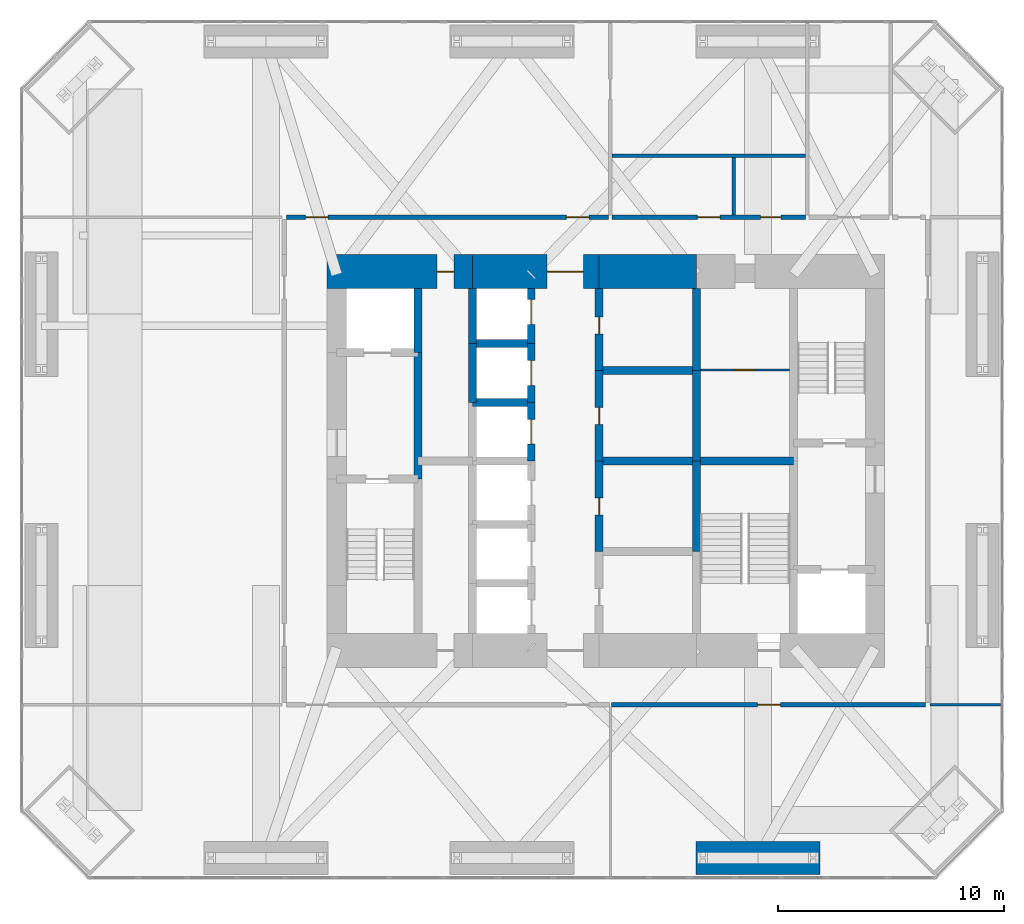
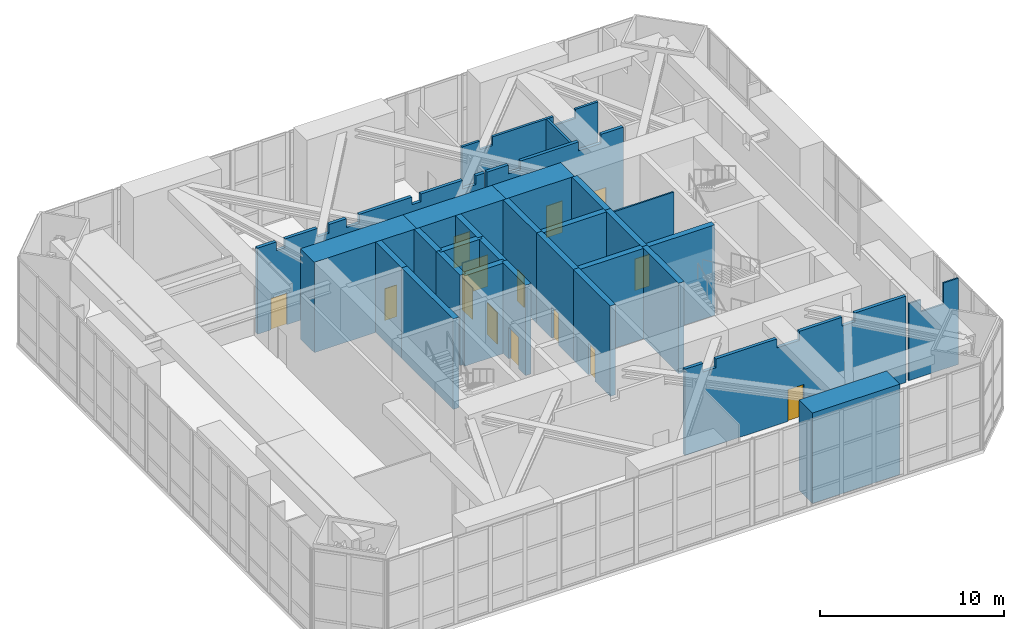
# One storey, part 15 of 18: 29 walls, 14 doors, 14 openings.
"""IFC4 building model written with IfcOpenShell, lengths in metres."""

from ifc_helpers import new_model, si_unit, direction, frame, frame_2d, origin, place, context, subcontext, project, spatial, polyline, rectangle, outline, extrude, material, layer, layer_set, constituent, constituent_set, type_object, element, fill, save


model = new_model("IFC4")

# Units and contexts
model_context = context("Model", 3, precision=1e-05, world=origin(), true_north=direction((0.0, 1.0)))
body_context = subcontext(model_context, "Body", "Model", "MODEL_VIEW")
ifc_project = project(units=[si_unit("LENGTHUNIT", "METRE"), si_unit("AREAUNIT", "SQUARE_METRE"), si_unit("VOLUMEUNIT", "CUBIC_METRE"), si_unit("PLANEANGLEUNIT", "RADIAN"), si_unit("MASSUNIT", "GRAM", prefix="KILO")], contexts=[model_context])

# Site, building, storey
site_placement = place(None, origin())
site = spatial("IfcSite", under=ifc_project, at=site_placement, CompositionType="ELEMENT")
building_placement = place(site_placement, origin())
building = spatial("IfcBuilding", under=site, at=building_placement, Name="Jalousie Tower", CompositionType="ELEMENT")
storey_placement = place(building_placement, frame((0.0, 0.0, 138.35009765625)))
storey = spatial("IfcBuildingStorey", under=building, at=storey_placement, Name="L38", CompositionType="ELEMENT", Elevation=138.35009765625)

# Walls
ifc_material_1 = material(Name="Concrete block ASTM C90", Category="concrete")
ifc_constituent_1 = constituent(ifc_material_1, Name="Body")
ifc_material_2 = material(Name="Render")
ifc_constituent_2 = constituent(ifc_material_2, Name="Finish")
ifc_constituent_set_1 = constituent_set(constituents=[ifc_constituent_1, ifc_constituent_2])
wall_type_1 = type_object("IfcWallType", Name="BATHROOM WALL 150", PredefinedType="PLUMBINGWALL", material=ifc_constituent_set_1)
wall_1_placement = place(storey_placement, frame((32.175048828125, 32.0, 0.0), z_axis=(0.0, 0.0, 1.0), x_axis=(1.0, 0.0, 0.0)))
element("IfcWall", 1, at=wall_1_placement, inside=storey, type_object=wall_type_1, Name="Bathroom Wall 150 L38", PredefinedType="PLUMBINGWALL", context=body_context, shape_type="SweptSolid", body=[
    extrude(outline(polyline([(0.0, 0.0), (8.550048828125, 0.0), (8.550048828125, 5.719970703125), (7.135009765625, 5.719970703125), (7.135009765625, 5.119873046875), (5.764892578125, 5.119873046875), (5.764892578125, 5.719970703125), (1.9375, 5.719970703125), (1.9375, 5.140869140625), (1.132080078125, 5.140869140625), (1.132080078125, 5.719970703125), (0.0, 5.719970703125), (0.0, 0.0)])), frame((0.0, 0.074951171875, 0.0), z_axis=(0.0, -1.0, 0.0), x_axis=(1.0, 0.0, 0.0)), (0.0, 0.0, 1.0), 0.14990234375),
])
wall_2_placement = place(storey_placement, frame((37.550048828125, 29.375, 0.0), z_axis=(0.0, 0.0, 1.0), x_axis=(0.0, 1.0, 0.0)))
element("IfcWall", 2, at=wall_2_placement, inside=storey, type_object=wall_type_1, Name="Bathroom Wall 150 L38", PredefinedType="PLUMBINGWALL", context=body_context, shape_type="SweptSolid", body=[
    extrude(rectangle(XDim=2.550048828125, YDim=0.14990234375, at=frame_2d((1.27490234375, 0.0))), origin(), (0.0, 0.0, 1.0), 5.719970703125),
])
ifc_material_3 = material(Name="Concrete f'c 120 MPa", Category="concrete")
ifc_layer_1 = layer(ifc_material_3, 1.5)
ifc_layer_set_1 = layer_set([ifc_layer_1], Name="Concrete f'c 120 MPa")
wall_type_2 = type_object("IfcWallType", Name="CORE WALL 1500", PredefinedType="SHEAR", material=ifc_layer_set_1)
wall_3_placement = place(storey_placement, frame((35.89990234375, 26.875, 0.0), z_axis=(0.0, 0.0, 1.0), x_axis=(-1.0, 0.0, 0.0)))
element("IfcWall", 3, at=wall_3_placement, inside=storey, type_object=wall_type_2, Name="Core wall NB L38", PredefinedType="SHEAR", context=body_context, shape_type="SweptSolid", body=[
    extrude(rectangle(XDim=4.2998046875, YDim=1.5, at=frame_2d((2.14990234375, 0.0))), origin(), (0.0, 0.0, 1.0), 6.0),
])

# Wall, opening, door
wall_4_placement = place(storey_placement, frame((31.60009765625, 26.875, 0.0), z_axis=(0.0, 0.0, 1.0), x_axis=(-1.0, 0.0, 0.0)))
wall_4 = element("IfcWall", 4, at=wall_4_placement, inside=storey, type_object=wall_type_2, Name="Core wall NC L38", PredefinedType="SHEAR", context=body_context, shape_type="SweptSolid", body=[
    extrude(rectangle(XDim=5.60009765625, YDim=1.5, at=frame_2d((2.800048828125, 0.0))), origin(), (0.0, 0.0, 1.0), 6.0),
])
opening_1_placement = place(wall_4_placement, frame((0.699951171875, 0.0, 0.0)))
opening_1 = element("IfcOpeningElement", 5, at=opening_1_placement, cuts=wall_4, Name="Opening D15", PredefinedType="OPENING", context=body_context, shape_type="SweptSolid", body=[
    extrude(rectangle(XDim=1.60009765625, YDim=2.10009765625, at=frame_2d((0.800048828125, 1.050048828125))), frame((0.0, 0.760009765625, 0.0), z_axis=(0.0, -1.0, 0.0), x_axis=(1.0, 0.0, 0.0)), (0.0, 0.0, 1.0), 1.52001953125),
])
ifc_material_4 = material(Name="Steel fire door", Category="steel")
door_type_1 = type_object("IfcDoorType", Name="LIFT LOBBY DOOR 1600", OperationType="DOUBLE_DOOR_SINGLE_SWING", PredefinedType="DOOR", material=ifc_material_4)
door_1_placement = place(opening_1_placement, origin())
door_1 = element("IfcDoor", 6, at=door_1_placement, inside=storey, type_object=door_type_1, Name="Lift lobby north door", OperationType="DOUBLE_DOOR_SINGLE_SWING", OverallHeight=2.10009765625, OverallWidth=1.60009765625, PredefinedType="DOOR", context=body_context, shape_type="SweptSolid", body=[
    extrude(rectangle(XDim=1.60009765625, YDim=2.10009765625, at=frame_2d((0.800048828125, 1.050048828125))), frame((0.0, 0.02490234375, 0.0), z_axis=(0.0, -1.0, 0.0), x_axis=(1.0, 0.0, 0.0)), (0.0, 0.0, 1.0), 0.050048828125),
])
fill(opening_1, door_1)

wall_5_placement = place(storey_placement, frame((26.0, 26.875, 0.0), z_axis=(0.0, 0.0, 1.0), x_axis=(-1.0, 0.0, 0.0)))
wall_5 = element("IfcWall", 7, at=wall_5_placement, inside=storey, type_object=wall_type_2, Name="Core wall ND L38", PredefinedType="SHEAR", context=body_context, shape_type="SweptSolid", body=[
    extrude(rectangle(XDim=6.425048828125, YDim=1.5, at=frame_2d((3.21240234375, 0.0))), origin(), (0.0, 0.0, 1.0), 6.0),
])
opening_2_placement = place(wall_5_placement, frame((0.824951171875, 0.0, 0.0)))
opening_2 = element("IfcOpeningElement", 8, at=opening_2_placement, cuts=wall_5, Name="Opening D16", PredefinedType="OPENING", context=body_context, shape_type="SweptSolid", body=[
    extrude(rectangle(XDim=0.75, YDim=2.10009765625, at=frame_2d((0.375, 1.050048828125))), frame((0.0, 0.760009765625, 0.0), z_axis=(0.0, -1.0, 0.0), x_axis=(1.0, 0.0, 0.0)), (0.0, 0.0, 1.0), 1.52001953125),
])
ifc_material_5 = material(Name="Steel fire door", Category="steel")
door_type_2 = type_object("IfcDoorType", Name="RISER DOOR 750", OperationType="SINGLE_SWING_LEFT", PredefinedType="DOOR", material=ifc_material_5)
door_2_placement = place(opening_2_placement, origin())
door_2 = element("IfcDoor", 9, at=door_2_placement, inside=storey, type_object=door_type_2, Name="North riser door", OperationType="SINGLE_SWING_RIGHT", OverallHeight=2.10009765625, OverallWidth=0.75, PredefinedType="DOOR", context=body_context, shape_type="SweptSolid", body=[
    extrude(rectangle(XDim=0.75, YDim=2.10009765625, at=frame_2d((0.375, 1.050048828125))), frame((0.0, 0.02490234375, 0.0), z_axis=(0.0, -1.0, 0.0), x_axis=(1.0, 0.0, 0.0)), (0.0, 0.0, 1.0), 0.050048828125),
])
fill(opening_2, door_2)

# Walls
ifc_material_6 = material(Name="Concrete f'c 120 MPa", Category="concrete")
ifc_layer_2 = layer(ifc_material_6, 0.35009765625)
ifc_layer_set_2 = layer_set([ifc_layer_2], Name="Concrete f'c 120 MPa")
wall_type_3 = type_object("IfcWallType", Name="CORE WALL 350", PredefinedType="SHEAR", material=ifc_layer_set_2)
wall_6_placement = place(storey_placement, frame((23.60009765625, 17.699951171875, 0.0), z_axis=(0.0, 0.0, 1.0), x_axis=(0.0, 1.0, 0.0)))
element("IfcWall", 10, at=wall_6_placement, inside=storey, type_object=wall_type_3, Name="Core wall X23.6B L38", PredefinedType="SHEAR", context=body_context, shape_type="SweptSolid", body=[
    extrude(rectangle(XDim=5.60009765625, YDim=0.35009765625, at=frame_2d((2.800048828125, 0.0))), origin(), (0.0, 0.0, 1.0), 6.0),
])
wall_7_placement = place(storey_placement, frame((23.60009765625, 23.300048828125, 0.0), z_axis=(0.0, 0.0, 1.0), x_axis=(0.0, 1.0, 0.0)))
element("IfcWall", 11, at=wall_7_placement, inside=storey, type_object=wall_type_3, Name="Core wall X23.6C L38", PredefinedType="SHEAR", context=body_context, shape_type="SweptSolid", body=[
    extrude(rectangle(XDim=2.824951171875, YDim=0.35009765625, at=frame_2d((1.41259765625, 0.0))), origin(), (0.0, 0.0, 1.0), 6.0),
])
wall_8_placement = place(storey_placement, frame((26.0, 21.10009765625, 0.0), z_axis=(0.0, 0.0, 1.0), x_axis=(0.0, 1.0, 0.0)))
element("IfcWall", 12, at=wall_8_placement, inside=storey, type_object=wall_type_3, Name="Core wall X26E L38", PredefinedType="SHEAR", context=body_context, shape_type="SweptSolid", body=[
    extrude(rectangle(XDim=2.599853515625, YDim=0.35009765625, at=frame_2d((1.2998046875, 0.0))), origin(), (0.0, 0.0, 1.0), 6.0),
])
wall_9_placement = place(storey_placement, frame((26.0, 23.699951171875, 0.0), z_axis=(0.0, 0.0, 1.0), x_axis=(0.0, 1.0, 0.0)))
element("IfcWall", 13, at=wall_9_placement, inside=storey, type_object=wall_type_3, Name="Core wall X26F L38", PredefinedType="SHEAR", context=body_context, shape_type="SweptSolid", body=[
    extrude(rectangle(XDim=2.425048828125, YDim=0.35009765625, at=frame_2d((1.21240234375, 0.0))), origin(), (0.0, 0.0, 1.0), 6.0),
])

# Wall, opening, door
wall_10_placement = place(storey_placement, frame((28.60009765625, 18.5, 0.0), z_axis=(0.0, 0.0, 1.0), x_axis=(0.0, 1.0, 0.0)))
wall_10 = element("IfcWall", 14, at=wall_10_placement, inside=storey, type_object=wall_type_3, Name="Core wall X28.6D L38", PredefinedType="SHEAR", context=body_context, shape_type="SweptSolid", body=[
    extrude(rectangle(XDim=2.60009765625, YDim=0.35009765625, at=frame_2d((1.300048828125, 0.0))), origin(), (0.0, 0.0, 1.0), 6.0),
])
opening_3_placement = place(wall_10_placement, frame((0.75, 0.0, 0.0)))
opening_3 = element("IfcOpeningElement", 15, at=opening_3_placement, cuts=wall_10, Name="Opening LD1", PredefinedType="OPENING", context=body_context, shape_type="SweptSolid", body=[
    extrude(rectangle(XDim=1.10009765625, YDim=2.10009765625, at=frame_2d((0.550048828125, 1.050048828125))), frame((0.0, 0.18505859375, 0.0), z_axis=(0.0, -1.0, 0.0), x_axis=(1.0, 0.0, 0.0)), (0.0, 0.0, 1.0), 0.3701171875),
])
ifc_material_7 = material(Name="Steel lift landing door", Category="steel")
door_type_3 = type_object("IfcDoorType", Name="LIFT LANDING DOOR 1100", OperationType="SLIDING_TO_LEFT", PredefinedType="DOOR", material=ifc_material_7)
door_3_placement = place(opening_3_placement, origin())
door_3 = element("IfcDoor", 16, at=door_3_placement, inside=storey, type_object=door_type_3, Name="Lift P4 landing door", OperationType="SLIDING_TO_LEFT", OverallHeight=2.10009765625, OverallWidth=1.10009765625, PredefinedType="DOOR", context=body_context, shape_type="SweptSolid", body=[
    extrude(rectangle(XDim=1.10009765625, YDim=2.10009765625, at=frame_2d((0.550048828125, 1.050048828125))), frame((0.0, 0.02490234375, 0.0), z_axis=(0.0, -1.0, 0.0), x_axis=(1.0, 0.0, 0.0)), (0.0, 0.0, 1.0), 0.050048828125),
])
fill(opening_3, door_3)

wall_11_placement = place(storey_placement, frame((28.60009765625, 21.10009765625, 0.0), z_axis=(0.0, 0.0, 1.0), x_axis=(0.0, 1.0, 0.0)))
wall_11 = element("IfcWall", 17, at=wall_11_placement, inside=storey, type_object=wall_type_3, Name="Core wall X28.6E L38", PredefinedType="SHEAR", context=body_context, shape_type="SweptSolid", body=[
    extrude(rectangle(XDim=2.599853515625, YDim=0.35009765625, at=frame_2d((1.2998046875, 0.0))), origin(), (0.0, 0.0, 1.0), 6.0),
])
opening_4_placement = place(wall_11_placement, frame((0.75, 0.0, 0.0)))
opening_4 = element("IfcOpeningElement", 18, at=opening_4_placement, cuts=wall_11, Name="Opening LD1", PredefinedType="OPENING", context=body_context, shape_type="SweptSolid", body=[
    extrude(rectangle(XDim=1.10009765625, YDim=2.10009765625, at=frame_2d((0.550048828125, 1.050048828125))), frame((0.0, 0.18505859375, 0.0), z_axis=(0.0, -1.0, 0.0), x_axis=(1.0, 0.0, 0.0)), (0.0, 0.0, 1.0), 0.3701171875),
])
door_4_placement = place(opening_4_placement, origin())
door_4 = element("IfcDoor", 19, at=door_4_placement, inside=storey, type_object=door_type_3, Name="Lift P5 landing door", OperationType="SLIDING_TO_LEFT", OverallHeight=2.10009765625, OverallWidth=1.10009765625, PredefinedType="DOOR", context=body_context, shape_type="SweptSolid", body=[
    extrude(rectangle(XDim=1.10009765625, YDim=2.10009765625, at=frame_2d((0.550048828125, 1.050048828125))), frame((0.0, 0.02490234375, 0.0), z_axis=(0.0, -1.0, 0.0), x_axis=(1.0, 0.0, 0.0)), (0.0, 0.0, 1.0), 0.050048828125),
])
fill(opening_4, door_4)

wall_12_placement = place(storey_placement, frame((28.60009765625, 23.699951171875, 0.0), z_axis=(0.0, 0.0, 1.0), x_axis=(0.0, 1.0, 0.0)))
wall_12 = element("IfcWall", 20, at=wall_12_placement, inside=storey, type_object=wall_type_3, Name="Core wall X28.6F L38", PredefinedType="SHEAR", context=body_context, shape_type="SweptSolid", body=[
    extrude(rectangle(XDim=2.425048828125, YDim=0.35009765625, at=frame_2d((1.21240234375, 0.0))), origin(), (0.0, 0.0, 1.0), 6.0),
])
opening_5_placement = place(wall_12_placement, frame((0.85009765625, 0.0, 0.0)))
opening_5 = element("IfcOpeningElement", 21, at=opening_5_placement, cuts=wall_12, Name="Opening LD1", PredefinedType="OPENING", context=body_context, shape_type="SweptSolid", body=[
    extrude(rectangle(XDim=1.10009765625, YDim=2.10009765625, at=frame_2d((0.550048828125, 1.050048828125))), frame((0.0, 0.18505859375, 0.0), z_axis=(0.0, -1.0, 0.0), x_axis=(1.0, 0.0, 0.0)), (0.0, 0.0, 1.0), 0.3701171875),
])
door_5_placement = place(opening_5_placement, origin())
door_5 = element("IfcDoor", 22, at=door_5_placement, inside=storey, type_object=door_type_3, Name="Lift P6 landing door", OperationType="SLIDING_TO_LEFT", OverallHeight=2.10009765625, OverallWidth=1.10009765625, PredefinedType="DOOR", context=body_context, shape_type="SweptSolid", body=[
    extrude(rectangle(XDim=1.10009765625, YDim=2.10009765625, at=frame_2d((0.550048828125, 1.050048828125))), frame((0.0, 0.02490234375, 0.0), z_axis=(0.0, -1.0, 0.0), x_axis=(1.0, 0.0, 0.0)), (0.0, 0.0, 1.0), 0.050048828125),
])
fill(opening_5, door_5)

wall_13_placement = place(storey_placement, frame((31.60009765625, 14.5, 0.0), z_axis=(0.0, 0.0, 1.0), x_axis=(0.0, 1.0, 0.0)))
wall_13 = element("IfcWall", 23, at=wall_13_placement, inside=storey, type_object=wall_type_3, Name="Core wall X31.6B L38", PredefinedType="SHEAR", context=body_context, shape_type="SweptSolid", body=[
    extrude(rectangle(XDim=4.0, YDim=0.35009765625, at=frame_2d((2.0, 0.0))), origin(), (0.0, 0.0, 1.0), 6.0),
])
opening_6_placement = place(wall_13_placement, frame((1.625, 0.0, 0.0)))
opening_6 = element("IfcOpeningElement", 24, at=opening_6_placement, cuts=wall_13, Name="Opening D16", PredefinedType="OPENING", context=body_context, shape_type="SweptSolid", body=[
    extrude(rectangle(XDim=0.75, YDim=2.10009765625, at=frame_2d((0.375, 1.050048828125))), frame((0.0, 0.18505859375, 0.0), z_axis=(0.0, -1.0, 0.0), x_axis=(1.0, 0.0, 0.0)), (0.0, 0.0, 1.0), 0.3701171875),
])
door_6_placement = place(opening_6_placement, frame((0.75, 0.0, 0.0), z_axis=(0.0, 0.0, 1.0), x_axis=(-1.0, 0.0, 0.0)))
door_6 = element("IfcDoor", 25, at=door_6_placement, inside=storey, type_object=door_type_2, Name="Electrical Room door", OperationType="SINGLE_SWING_RIGHT", OverallHeight=2.10009765625, OverallWidth=0.75, PredefinedType="DOOR", context=body_context, shape_type="SweptSolid", body=[
    extrude(rectangle(XDim=0.75, YDim=2.10009765625, at=frame_2d((0.375, 1.050048828125))), frame((0.0, 0.02490234375, 0.0), z_axis=(0.0, -1.0, 0.0), x_axis=(1.0, 0.0, 0.0)), (0.0, 0.0, 1.0), 0.050048828125),
])
fill(opening_6, door_6)

wall_14_placement = place(storey_placement, frame((31.60009765625, 18.5, 0.0), z_axis=(0.0, 0.0, 1.0), x_axis=(0.0, 1.0, 0.0)))
wall_14 = element("IfcWall", 26, at=wall_14_placement, inside=storey, type_object=wall_type_3, Name="Core wall X31.6C L38", PredefinedType="SHEAR", context=body_context, shape_type="SweptSolid", body=[
    extrude(rectangle(XDim=4.0, YDim=0.35009765625, at=frame_2d((2.0, 0.0))), origin(), (0.0, 0.0, 1.0), 6.0),
])
opening_7_placement = place(wall_14_placement, frame((1.625, 0.0, 0.0)))
opening_7 = element("IfcOpeningElement", 27, at=opening_7_placement, cuts=wall_14, Name="Opening D16", PredefinedType="OPENING", context=body_context, shape_type="SweptSolid", body=[
    extrude(rectangle(XDim=0.75, YDim=2.10009765625, at=frame_2d((0.375, 1.050048828125))), frame((0.0, 0.18505859375, 0.0), z_axis=(0.0, -1.0, 0.0), x_axis=(1.0, 0.0, 0.0)), (0.0, 0.0, 1.0), 0.3701171875),
])
door_7_placement = place(opening_7_placement, frame((0.75, 0.0, 0.0), z_axis=(0.0, 0.0, 1.0), x_axis=(-1.0, 0.0, 0.0)))
door_7 = element("IfcDoor", 28, at=door_7_placement, inside=storey, type_object=door_type_2, Name="Telecom Room door", OperationType="SINGLE_SWING_RIGHT", OverallHeight=2.10009765625, OverallWidth=0.75, PredefinedType="DOOR", context=body_context, shape_type="SweptSolid", body=[
    extrude(rectangle(XDim=0.75, YDim=2.10009765625, at=frame_2d((0.375, 1.050048828125))), frame((0.0, 0.02490234375, 0.0), z_axis=(0.0, -1.0, 0.0), x_axis=(1.0, 0.0, 0.0)), (0.0, 0.0, 1.0), 0.050048828125),
])
fill(opening_7, door_7)

wall_15_placement = place(storey_placement, frame((31.60009765625, 22.5, 0.0), z_axis=(0.0, 0.0, 1.0), x_axis=(0.0, 1.0, 0.0)))
wall_15 = element("IfcWall", 29, at=wall_15_placement, inside=storey, type_object=wall_type_3, Name="Core wall X31.6D L38", PredefinedType="SHEAR", context=body_context, shape_type="SweptSolid", body=[
    extrude(rectangle(XDim=3.625, YDim=0.35009765625, at=frame_2d((1.8125, 0.0))), origin(), (0.0, 0.0, 1.0), 6.0),
])
opening_8_placement = place(wall_15_placement, frame((1.625, 0.0, 0.0)))
opening_8 = element("IfcOpeningElement", 30, at=opening_8_placement, cuts=wall_15, Name="Opening D16", PredefinedType="OPENING", context=body_context, shape_type="SweptSolid", body=[
    extrude(rectangle(XDim=0.75, YDim=2.10009765625, at=frame_2d((0.375, 1.050048828125))), frame((0.0, 0.18505859375, 0.0), z_axis=(0.0, -1.0, 0.0), x_axis=(1.0, 0.0, 0.0)), (0.0, 0.0, 1.0), 0.3701171875),
])
door_8_placement = place(opening_8_placement, frame((0.75, 0.0, 0.0), z_axis=(0.0, 0.0, 1.0), x_axis=(-1.0, 0.0, 0.0)))
door_8 = element("IfcDoor", 31, at=door_8_placement, inside=storey, type_object=door_type_2, Name="Water Services Room door", OperationType="SINGLE_SWING_LEFT", OverallHeight=2.10009765625, OverallWidth=0.75, PredefinedType="DOOR", context=body_context, shape_type="SweptSolid", body=[
    extrude(rectangle(XDim=0.75, YDim=2.10009765625, at=frame_2d((0.375, 1.050048828125))), frame((0.0, 0.02490234375, 0.0), z_axis=(0.0, -1.0, 0.0), x_axis=(1.0, 0.0, 0.0)), (0.0, 0.0, 1.0), 0.050048828125),
])
fill(opening_8, door_8)

# Walls
for number, where, z_axis, x_axis, name in (
    (32, (35.89990234375, 14.5, 0.0), (0.0, 0.0, 1.0), (0.0, 1.0, 0.0), "Core wall X35.9B L38"),
    (33, (35.89990234375, 18.5, 0.0), (0.0, 0.0, 1.0), (0.0, 1.0, 0.0), "Core wall X35.9C L38"),
):
    element("IfcWall", number, at=place(storey_placement, frame(where, z_axis=z_axis, x_axis=x_axis)), inside=storey, type_object=wall_type_3, Name=name, PredefinedType="SHEAR", context=body_context, shape_type="SweptSolid", body=[
        extrude(rectangle(XDim=4.0, YDim=0.35009765625, at=frame_2d((2.0, 0.0))), origin(), (0.0, 0.0, 1.0), 6.0),
    ])
wall_16_placement = place(storey_placement, frame((35.89990234375, 22.5, 0.0), z_axis=(0.0, 0.0, 1.0), x_axis=(0.0, 1.0, 0.0)))
element("IfcWall", 34, at=wall_16_placement, inside=storey, type_object=wall_type_3, Name="Core wall X35.9D L38", PredefinedType="SHEAR", context=body_context, shape_type="SweptSolid", body=[
    extrude(rectangle(XDim=3.625, YDim=0.35009765625, at=frame_2d((1.8125, 0.0))), origin(), (0.0, 0.0, 1.0), 6.0),
])
for number, where, z_axis, x_axis, name in (
    (35, (26.0, 21.10009765625, 0.0), (0.0, 0.0, 1.0), (1.0, 0.0, 0.0), "Core wall Y26-21.1 L38"),
    (36, (26.0, 23.699951171875, 0.0), (0.0, 0.0, 1.0), (1.0, 0.0, 0.0), "Core wall Y26-23.7 L38"),
):
    element("IfcWall", number, at=place(storey_placement, frame(where, z_axis=z_axis, x_axis=x_axis)), inside=storey, type_object=wall_type_3, Name=name, PredefinedType="SHEAR", context=body_context, shape_type="SweptSolid", body=[
        extrude(rectangle(XDim=2.60009765625, YDim=0.35009765625, at=frame_2d((1.300048828125, 0.0))), origin(), (0.0, 0.0, 1.0), 6.0),
    ])
for number, where, z_axis, x_axis, name in (
    (37, (31.60009765625, 18.5, 0.0), (0.0, 0.0, 1.0), (1.0, 0.0, 0.0), "Core wall Y31.6-18.5 L38"),
    (38, (31.60009765625, 22.5, 0.0), (0.0, 0.0, 1.0), (1.0, 0.0, 0.0), "Core wall Y31.6-22.5 L38"),
):
    element("IfcWall", number, at=place(storey_placement, frame(where, z_axis=z_axis, x_axis=x_axis)), inside=storey, type_object=wall_type_3, Name=name, PredefinedType="SHEAR", context=body_context, shape_type="SweptSolid", body=[
        extrude(rectangle(XDim=4.2998046875, YDim=0.35009765625, at=frame_2d((2.14990234375, 0.0))), origin(), (0.0, 0.0, 1.0), 6.0),
    ])
wall_17_placement = place(storey_placement, frame((35.89990234375, 18.5, 0.0), z_axis=(0.0, 0.0, 1.0), x_axis=(1.0, 0.0, 0.0)))
element("IfcWall", 39, at=wall_17_placement, inside=storey, type_object=wall_type_3, Name="Core wall Y35.9-18.5 L38", PredefinedType="SHEAR", context=body_context, shape_type="SweptSolid", body=[
    extrude(rectangle(XDim=4.300048828125, YDim=0.35009765625, at=frame_2d((2.14990234375, 0.0))), origin(), (0.0, 0.0, 1.0), 6.0),
])

# Wall, opening, door
ifc_material_8 = material(Name="Concrete block ASTM C90", Category="concrete")
ifc_constituent_3 = constituent(ifc_material_8, Name="Body")
ifc_material_9 = material(Name="Render")
ifc_constituent_4 = constituent(ifc_material_9, Name="Finish")
ifc_constituent_set_2 = constituent_set(constituents=[ifc_constituent_3, ifc_constituent_4])
wall_type_4 = type_object("IfcWallType", Name="CORRIDOR WALL 200", PredefinedType="PARTITIONING", material=ifc_constituent_set_2)
wall_18_placement = place(storey_placement, frame((32.14990234375, 7.72509765625, 0.0), z_axis=(0.0, 0.0, 1.0), x_axis=(1.0, 0.0, 0.0)))
wall_18 = element("IfcWall", 40, at=wall_18_placement, inside=storey, type_object=wall_type_4, Name="Corridor Wall 200 L38", PredefinedType="PARTITIONING", context=body_context, shape_type="SweptSolid", body=[
    extrude(outline(polyline([(0.0, 0.0), (13.875, 0.0), (13.875, 5.719970703125), (10.66162109375, 5.719970703125), (10.66162109375, 5.140869140625), (9.858642578125, 5.140869140625), (9.858642578125, 5.719970703125), (7.18505859375, 5.719970703125), (7.18505859375, 5.119873046875), (5.764892578125, 5.119873046875), (5.764892578125, 5.719970703125), (1.93896484375, 5.719970703125), (1.93896484375, 5.140869140625), (1.135498046875, 5.140869140625), (1.135498046875, 5.719970703125), (0.0, 5.719970703125), (0.0, 0.0)])), frame((0.0, 0.10009765625, 0.0), z_axis=(0.0, -1.0, 0.0), x_axis=(1.0, 0.0, 0.0)), (0.0, 0.0, 1.0), 0.199951171875),
])
opening_9_placement = place(wall_18_placement, frame((6.46240234375, 0.0, 0.0)))
opening_9 = element("IfcOpeningElement", 41, at=opening_9_placement, cuts=wall_18, Name="Opening D21", PredefinedType="OPENING", context=body_context, shape_type="SweptSolid", body=[
    extrude(rectangle(XDim=1.0, YDim=2.10009765625, at=frame_2d((0.5, 1.050048828125))), frame((0.0, 0.10986328125, 0.0), z_axis=(0.0, -1.0, 0.0), x_axis=(1.0, 0.0, 0.0)), (0.0, 0.0, 1.0), 0.219970703125),
])
ifc_material_10 = material(Name="Timber fire door", Category="wood")
door_type_4 = type_object("IfcDoorType", Name="CORRIDOR DOOR 1000", OperationType="SINGLE_SWING_LEFT", PredefinedType="DOOR", material=ifc_material_10)
door_9_placement = place(opening_9_placement, frame((1.0, 0.0, 0.0), z_axis=(0.0, 0.0, 1.0), x_axis=(-1.0, 0.0, 0.0)))
door_9 = element("IfcDoor", 42, at=door_9_placement, inside=storey, type_object=door_type_4, Name="Catering kitchen door", OperationType="SINGLE_SWING_LEFT", OverallHeight=2.10009765625, OverallWidth=1.0, PredefinedType="DOOR", context=body_context, shape_type="SweptSolid", body=[
    extrude(rectangle(XDim=1.0, YDim=2.10009765625, at=frame_2d((0.5, 1.050048828125))), frame((0.0, 0.02490234375, 0.0), z_axis=(0.0, -1.0, 0.0), x_axis=(1.0, 0.0, 0.0)), (0.0, 0.0, 1.0), 0.050048828125),
])
fill(opening_9, door_9)

# Wall, openings, doors
wall_19_placement = place(storey_placement, frame((17.77490234375, 29.27490234375, 0.0), z_axis=(0.0, 0.0, 1.0), x_axis=(1.0, 0.0, 0.0)))
wall_19 = element("IfcWall", 43, at=wall_19_placement, inside=storey, type_object=wall_type_4, Name="Corridor Wall 200 L38", PredefinedType="PARTITIONING", context=body_context, shape_type="SweptSolid", body=[
    extrude(outline(polyline([(0.0, 0.0), (14.25, 0.0), (14.25, 5.719970703125), (13.70947265625, 5.719970703125), (13.70947265625, 5.140869140625), (12.855712890625, 5.140869140625), (12.855712890625, 5.719970703125), (10.259521484375, 5.719970703125), (10.259521484375, 5.2080078125), (9.6904296875, 5.2080078125), (9.6904296875, 5.719970703125), (6.39208984375, 5.719970703125), (6.39208984375, 5.140869140625), (5.583984375, 5.140869140625), (5.583984375, 5.719970703125), (4.49560546875, 5.719970703125), (4.49560546875, 5.140869140625), (3.75390625, 5.140869140625), (3.75390625, 5.719970703125), (1.736083984375, 5.719970703125), (1.736083984375, 5.140869140625), (1.181640625, 5.140869140625), (1.181640625, 5.719970703125), (0.0, 5.719970703125), (0.0, 0.0)])), frame((0.0, 0.10009765625, 0.0), z_axis=(0.0, -1.0, 0.0), x_axis=(1.0, 0.0, 0.0)), (0.0, 0.0, 1.0), 0.199951171875),
])
opening_10_placement = place(wall_19_placement, frame((0.85009765625, 0.0, 0.0)))
opening_10 = element("IfcOpeningElement", 44, at=opening_10_placement, cuts=wall_19, Name="Opening D21", PredefinedType="OPENING", context=body_context, shape_type="SweptSolid", body=[
    extrude(rectangle(XDim=1.0, YDim=2.10009765625, at=frame_2d((0.5, 1.050048828125))), frame((0.0, 0.10986328125, 0.0), z_axis=(0.0, -1.0, 0.0), x_axis=(1.0, 0.0, 0.0)), (0.0, 0.0, 1.0), 0.219970703125),
])
opening_11_placement = place(wall_19_placement, frame((12.375, 0.0, 0.0)))
opening_11 = element("IfcOpeningElement", 45, at=opening_11_placement, cuts=wall_19, Name="Opening D21", PredefinedType="OPENING", context=body_context, shape_type="SweptSolid", body=[
    extrude(rectangle(XDim=1.0, YDim=2.10009765625, at=frame_2d((0.5, 1.050048828125))), frame((0.0, 0.10986328125, 0.0), z_axis=(0.0, -1.0, 0.0), x_axis=(1.0, 0.0, 0.0)), (0.0, 0.0, 1.0), 0.219970703125),
])
door_10_placement = place(opening_10_placement, origin())
door_10 = element("IfcDoor", 46, at=door_10_placement, inside=storey, type_object=door_type_4, Name="Sky lounge door", OperationType="SINGLE_SWING_LEFT", OverallHeight=2.10009765625, OverallWidth=1.0, PredefinedType="DOOR", context=body_context, shape_type="SweptSolid", body=[
    extrude(rectangle(XDim=1.0, YDim=2.10009765625, at=frame_2d((0.5, 1.050048828125))), frame((0.0, 0.02490234375, 0.0), z_axis=(0.0, -1.0, 0.0), x_axis=(1.0, 0.0, 0.0)), (0.0, 0.0, 1.0), 0.050048828125),
])
fill(opening_10, door_10)
door_11_placement = place(opening_11_placement, origin())
door_11 = element("IfcDoor", 47, at=door_11_placement, inside=storey, type_object=door_type_4, Name="Sky lounge second door", OperationType="SINGLE_SWING_RIGHT", OverallHeight=2.10009765625, OverallWidth=1.0, PredefinedType="DOOR", context=body_context, shape_type="SweptSolid", body=[
    extrude(rectangle(XDim=1.0, YDim=2.10009765625, at=frame_2d((0.5, 1.050048828125))), frame((0.0, 0.02490234375, 0.0), z_axis=(0.0, -1.0, 0.0), x_axis=(1.0, 0.0, 0.0)), (0.0, 0.0, 1.0), 0.050048828125),
])
fill(opening_11, door_11)

wall_20_placement = place(storey_placement, frame((32.175048828125, 29.27490234375, 0.0), z_axis=(0.0, 0.0, 1.0), x_axis=(1.0, 0.0, 0.0)))
wall_20 = element("IfcWall", 48, at=wall_20_placement, inside=storey, type_object=wall_type_4, Name="Corridor Wall 200 L38", PredefinedType="PARTITIONING", context=body_context, shape_type="SweptSolid", body=[
    extrude(outline(polyline([(0.0, 0.0), (8.550048828125, 0.0), (8.550048828125, 5.719970703125), (7.159912109375, 5.719970703125), (7.159912109375, 5.119873046875), (5.739990234375, 5.119873046875), (5.739990234375, 5.719970703125), (2.107421875, 5.719970703125), (2.107421875, 5.140869140625), (1.3466796875, 5.140869140625), (1.3466796875, 5.719970703125), (0.0, 5.719970703125), (0.0, 0.0)])), frame((0.0, 0.10009765625, 0.0), z_axis=(0.0, -1.0, 0.0), x_axis=(1.0, 0.0, 0.0)), (0.0, 0.0, 1.0), 0.199951171875),
])
opening_12_placement = place(wall_20_placement, frame((3.77490234375, 0.0, 0.0)))
opening_12 = element("IfcOpeningElement", 49, at=opening_12_placement, cuts=wall_20, Name="Opening D21", PredefinedType="OPENING", context=body_context, shape_type="SweptSolid", body=[
    extrude(rectangle(XDim=1.0, YDim=2.10009765625, at=frame_2d((0.5, 1.050048828125))), frame((0.0, 0.10986328125, 0.0), z_axis=(0.0, -1.0, 0.0), x_axis=(1.0, 0.0, 0.0)), (0.0, 0.0, 1.0), 0.219970703125),
])
opening_13_placement = place(wall_20_placement, frame((6.5625, 0.0, 0.0)))
opening_13 = element("IfcOpeningElement", 50, at=opening_13_placement, cuts=wall_20, Name="Opening D20", PredefinedType="OPENING", context=body_context, shape_type="SweptSolid", body=[
    extrude(rectangle(XDim=0.89990234375, YDim=2.10009765625, at=frame_2d((0.449951171875, 1.050048828125))), frame((0.0, 0.10986328125, 0.0), z_axis=(0.0, -1.0, 0.0), x_axis=(1.0, 0.0, 0.0)), (0.0, 0.0, 1.0), 0.219970703125),
])
door_12_placement = place(opening_12_placement, origin())
door_12 = element("IfcDoor", 51, at=door_12_placement, inside=storey, type_object=door_type_4, Name="Accessible WC door", OperationType="SINGLE_SWING_RIGHT", OverallHeight=2.10009765625, OverallWidth=1.0, PredefinedType="DOOR", context=body_context, shape_type="SweptSolid", body=[
    extrude(rectangle(XDim=1.0, YDim=2.10009765625, at=frame_2d((0.5, 1.050048828125))), frame((0.0, 0.02490234375, 0.0), z_axis=(0.0, -1.0, 0.0), x_axis=(1.0, 0.0, 0.0)), (0.0, 0.0, 1.0), 0.050048828125),
])
fill(opening_12, door_12)
ifc_material_11 = material(Name="Timber fire door", Category="wood")
door_type_5 = type_object("IfcDoorType", Name="CORRIDOR DOOR 900", OperationType="SINGLE_SWING_LEFT", PredefinedType="DOOR", material=ifc_material_11)
door_13_placement = place(opening_13_placement, origin())
door_13 = element("IfcDoor", 52, at=door_13_placement, inside=storey, type_object=door_type_5, Name="Baby change room door", OperationType="SINGLE_SWING_RIGHT", OverallHeight=2.10009765625, OverallWidth=0.89990234375, PredefinedType="DOOR", context=body_context, shape_type="SweptSolid", body=[
    extrude(rectangle(XDim=0.89990234375, YDim=2.10009765625, at=frame_2d((0.449951171875, 1.050048828125))), frame((0.0, 0.02490234375, 0.0), z_axis=(0.0, -1.0, 0.0), x_axis=(1.0, 0.0, 0.0)), (0.0, 0.0, 1.0), 0.050048828125),
])
fill(opening_13, door_13)

# Wall
ifc_material_12 = material(Name="Gypsum board", Category="gypsum")
ifc_constituent_5 = constituent(ifc_material_12, Name="Body")
ifc_material_13 = material(Name="Light-gauge steel studs ASTM A653 SS Grade 33", Category="steel")
ifc_constituent_6 = constituent(ifc_material_13, Name="Framing")
ifc_constituent_set_3 = constituent_set(constituents=[ifc_constituent_5, ifc_constituent_6])
wall_type_5 = type_object("IfcWallType", Name="PARTITION 100", PredefinedType="PARTITIONING", material=ifc_constituent_set_3)
wall_21_placement = place(storey_placement, frame((46.22509765625, 7.72509765625, 0.0), z_axis=(0.0, 0.0, 1.0), x_axis=(1.0, 0.0, 0.0)))
element("IfcWall", 53, at=wall_21_placement, inside=storey, type_object=wall_type_5, Name="Partition 100 L38", PredefinedType="PARTITIONING", context=body_context, shape_type="SweptSolid", body=[
    extrude(outline(polyline([(0.0, 0.0), (3.125, 0.0), (3.125, 5.719970703125), (2.186767578125, 5.719970703125), (2.186767578125, 4.31982421875), (0.752197265625, 4.31982421875), (0.752197265625, 5.119873046875), (0.0, 5.119873046875), (0.0, 0.0)])), frame((0.0, 0.050048828125, 0.0), z_axis=(0.0, -1.0, 0.0), x_axis=(1.0, 0.0, 0.0)), (0.0, 0.0, 1.0), 0.10009765625),
])

# Wall, opening, door
wall_22_placement = place(storey_placement, frame((36.074951171875, 22.52490234375, 0.0), z_axis=(0.0, 0.0, 1.0), x_axis=(1.0, 0.0, 0.0)))
wall_22 = element("IfcWall", 54, at=wall_22_placement, inside=storey, type_object=wall_type_5, Name="Partition 100 L38", PredefinedType="PARTITIONING", context=body_context, shape_type="SweptSolid", body=[
    extrude(rectangle(XDim=3.949951171875, YDim=0.10009765625, at=frame_2d((1.97509765625, 0.0))), origin(), (0.0, 0.0, 1.0), 5.719970703125),
])
opening_14_placement = place(wall_22_placement, frame((1.52490234375, 0.0, 0.0)))
opening_14 = element("IfcOpeningElement", 55, at=opening_14_placement, cuts=wall_22, Name="Opening D7", PredefinedType="OPENING", context=body_context, shape_type="SweptSolid", body=[
    extrude(rectangle(XDim=0.89990234375, YDim=2.10009765625, at=frame_2d((0.449951171875, 1.050048828125))), frame((0.0, 0.06005859375, 0.0), z_axis=(0.0, -1.0, 0.0), x_axis=(1.0, 0.0, 0.0)), (0.0, 0.0, 1.0), 0.1201171875),
])
ifc_material_14 = material(Name="Timber door", Category="wood")
door_type_6 = type_object("IfcDoorType", Name="INTERNAL DOOR 900", OperationType="SINGLE_SWING_LEFT", PredefinedType="DOOR", material=ifc_material_14)
door_14_placement = place(opening_14_placement, origin())
door_14 = element("IfcDoor", 56, at=door_14_placement, inside=storey, type_object=door_type_6, Name="Linen store door", OperationType="SINGLE_SWING_RIGHT", OverallHeight=2.10009765625, OverallWidth=0.89990234375, PredefinedType="DOOR", context=body_context, shape_type="SweptSolid", body=[
    extrude(rectangle(XDim=0.89990234375, YDim=2.10009765625, at=frame_2d((0.449951171875, 1.050048828125))), frame((0.0, 0.02490234375, 0.0), z_axis=(0.0, -1.0, 0.0), x_axis=(1.0, 0.0, 0.0)), (0.0, 0.0, 1.0), 0.050048828125),
])
fill(opening_14, door_14)

# Wall
ifc_material_15 = material(Name="Concrete f'c 120 MPa", Category="concrete")
ifc_layer_3 = layer(ifc_material_15, 1.449951171875)
ifc_layer_set_3 = layer_set([ifc_layer_3], Name="Concrete f'c 120 MPa")
wall_type_6 = type_object("IfcWallType", Name="RC WALL PIER 1450", PredefinedType="SHEAR", material=ifc_layer_set_3)
wall_23_placement = place(storey_placement, frame((35.875, 0.949951171875, 0.0), z_axis=(0.0, 0.0, 1.0), x_axis=(1.0, 0.0, 0.0)))
element("IfcWall", 57, at=wall_23_placement, inside=storey, type_object=wall_type_6, Name="Wall pier 04 L38", PredefinedType="SHEAR", context=body_context, shape_type="SweptSolid", body=[
    extrude(rectangle(XDim=5.5, YDim=1.449951171875, at=frame_2d((2.75, 0.0))), origin(), (0.0, 0.0, 1.0), 6.0),
])

save(model, "model.ifc")
